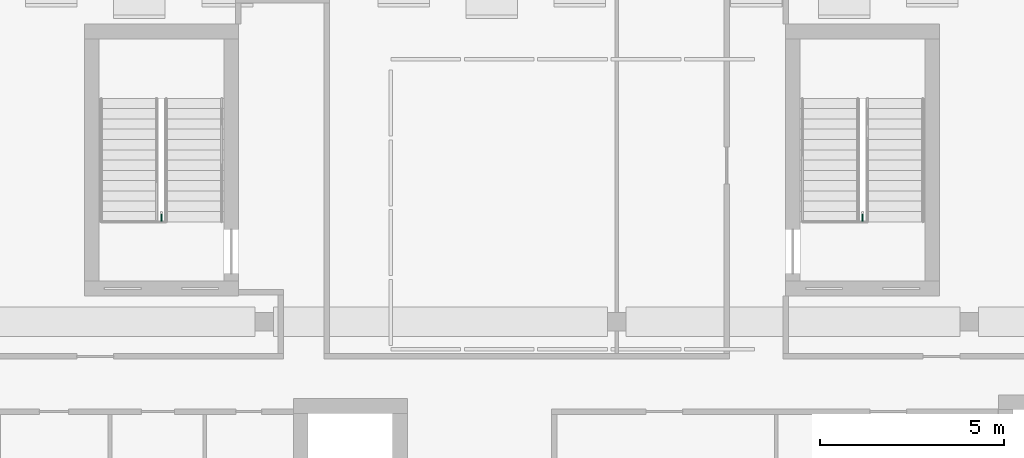
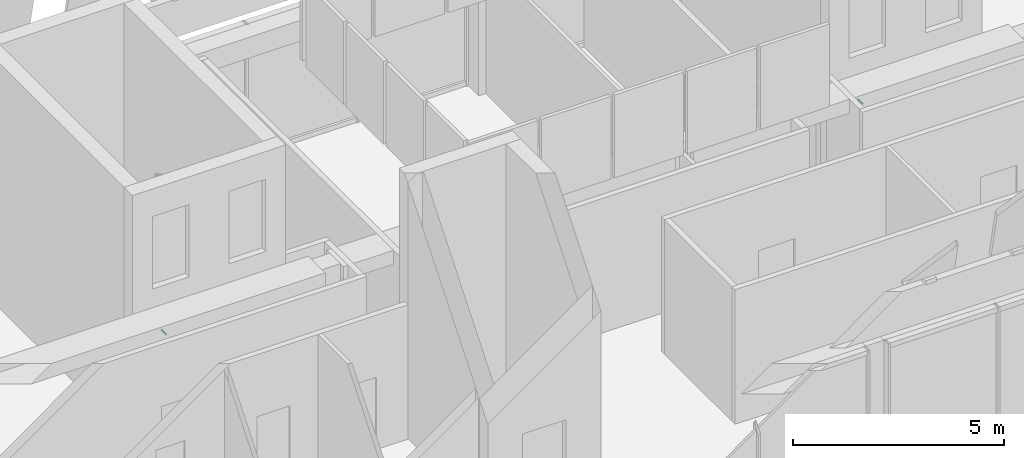
# One storey, part 26 of 26: 2 pipe fittings.
"""IFC4 building model written with IfcOpenShell, lengths in metres."""

from ifc_helpers import new_model, si_unit, direction, frame, origin, origin_2d, place, context, subcontext, project, spatial, circle, extrude, element, save


model = new_model("IFC4")

# Units and contexts
model_context = context("Model", 3, precision=1e-05, world=origin(), true_north=direction((0.0, 1.0)))
body_context = subcontext(model_context, "Body", "Model", "MODEL_VIEW")
ifc_project = project(units=[si_unit("LENGTHUNIT", "METRE"), si_unit("AREAUNIT", "SQUARE_METRE"), si_unit("VOLUMEUNIT", "CUBIC_METRE"), si_unit("PLANEANGLEUNIT", "RADIAN"), si_unit("MASSUNIT", "GRAM", prefix="KILO")], contexts=[model_context])

# Site, building, storey
site_placement = place(None, origin())
site = spatial("IfcSite", under=ifc_project, at=site_placement, CompositionType="ELEMENT")
building_placement = place(site_placement, origin())
building = spatial("IfcBuilding", under=site, at=building_placement, Name="Nzadi Deep Aquarium and Research Tower", CompositionType="ELEMENT")
storey_placement = place(building_placement, frame((0.0, 0.0, 78.10009765625)))
storey = spatial("IfcBuildingStorey", under=building, at=storey_placement, Name="L16", CompositionType="ELEMENT", Elevation=78.10009765625)

# Pipe fittings
for number, where, z_axis, x_axis, name in (
    (1, (6.800048828125, 39.77001953125, 1.099853515625), (0.0, -1.0, 0.0), (1.0, 0.0, 0.0), "Dry riser outlet ST-Z1-NW L16"),
    (2, (25.89990234375, 39.77001953125, 1.099853515625), (0.0, -1.0, 0.0), (1.0, 0.0, 0.0), "Dry riser outlet ST-Z1-NE L16"),
):
    element("IfcPipeFitting", number, at=place(storey_placement, frame(where, z_axis=z_axis, x_axis=x_axis)), inside=storey, Name=name, PredefinedType="EXIT", context=body_context, shape_type="SweptSolid", body=[
        extrude(circle(Radius=0.0224609375, at=origin_2d()), origin(), (0.0, 0.0, 1.0), 0.22998046875),
    ])

save(model, "model.ifc")
